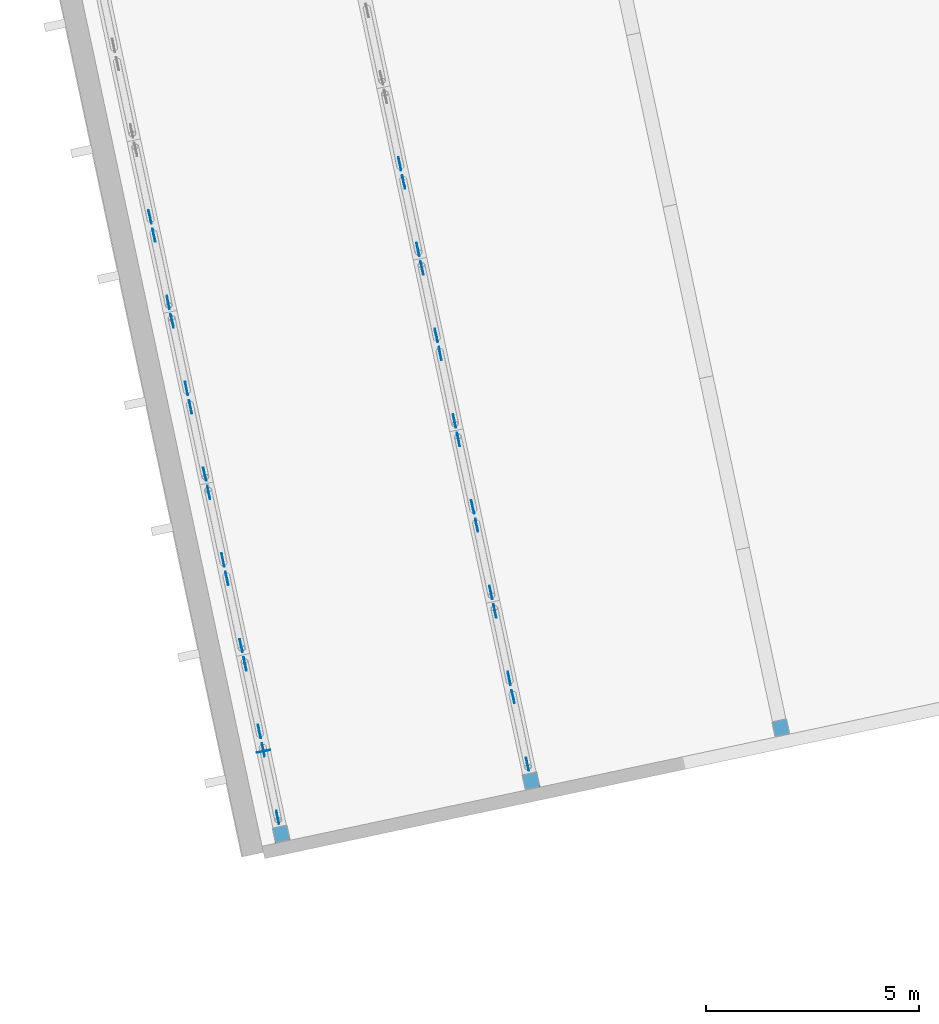
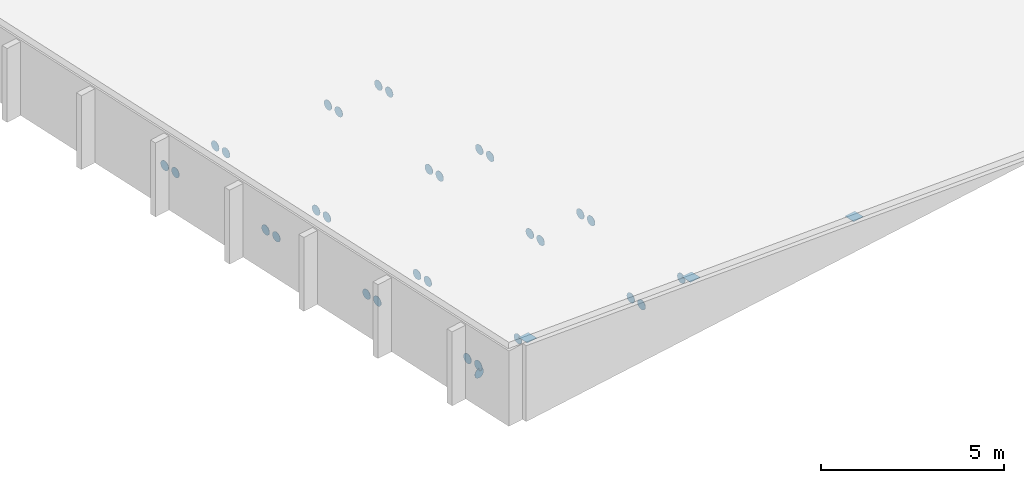
# One storey, part 40 of 50: 34 discrete accessories.
"""IFC4 building model written with IfcOpenShell, lengths in metres."""

from ifc_helpers import new_model, si_unit, direction, frame, origin, origin_2d, place, context, subcontext, project, spatial, rectangle, circle, extrude, material, layer, layer_set, type_object, element, save


model = new_model("IFC4")

# Units and contexts
model_context = context("Model", 3, precision=1e-05, world=origin(), true_north=direction((0.0, 1.0)))
body_context = subcontext(model_context, "Body", "Model", "MODEL_VIEW")
ifc_project = project(units=[si_unit("LENGTHUNIT", "METRE"), si_unit("AREAUNIT", "SQUARE_METRE"), si_unit("VOLUMEUNIT", "CUBIC_METRE"), si_unit("PLANEANGLEUNIT", "RADIAN"), si_unit("MASSUNIT", "GRAM", prefix="KILO")], contexts=[model_context])

# Site, building, storey
site_placement = place(None, origin())
site = spatial("IfcSite", under=ifc_project, at=site_placement, CompositionType="ELEMENT")
building_placement = place(site_placement, origin())
building = spatial("IfcBuilding", under=site, at=building_placement, Name="Windward Yard Aquatics Centre", CompositionType="ELEMENT")
storey_placement = place(building_placement, frame((0.0, 0.0, 18.199951171875)))
storey = spatial("IfcBuildingStorey", under=building, at=storey_placement, Name="L04", CompositionType="ELEMENT", Elevation=18.199951171875)

# Discrete accessories
ifc_material = material(Name="Steel S355", Category="steel")
ifc_layer_1 = layer(ifc_material, 0.010009765625)
ifc_layer_set_1 = layer_set([ifc_layer_1], Name="End cap plate 10 mm CHS323.9x12.7")
discrete_accessory_type_1 = type_object("IfcDiscreteAccessoryType", Name="End cap plate 10 mm CHS323.9x12.7", PredefinedType="USERDEFINED", material=ifc_layer_set_1)
discrete_accessory_1_placement = place(storey_placement, frame((163.44580078125, 43.896728515625, 0.104736328125), z_axis=(-0.196116135138, 0.980580675691, 0.0), x_axis=(-0.980580675691, -0.196116135138, 0.0)))
element("IfcDiscreteAccessory", 1, at=discrete_accessory_1_placement, inside=storey, type_object=discrete_accessory_type_1, Name="End cap", ObjectType="END CAP", PredefinedType="USERDEFINED", context=body_context, shape_type="SweptSolid", body=[
    extrude(circle(Radius=0.161865234375, at=origin_2d()), origin(), (0.0, 0.0, 1.0), 0.010009765625),
])
ifc_layer_2 = layer(ifc_material, 0.010009765625)
ifc_layer_set_2 = layer_set([ifc_layer_2], Name="End cap plate 10 mm RHS355.6x355.6x15.9")
discrete_accessory_type_2 = type_object("IfcDiscreteAccessoryType", Name="End cap plate 10 mm RHS355.6x355.6x15.9", PredefinedType="USERDEFINED", material=ifc_layer_set_2)
for number, where, z_axis, x_axis, name in (
    (2, (169.72607421875, 43.208984375, 1.515380859375), (0.0, 0.0, 1.0), (0.978147600734, 0.207911690818, 0.0), "End cap"),
    (3, (163.857177734375, 41.961669921875, 2.3046875), (0.0, 0.0, 1.0), (0.978147600734, 0.207911690818, 0.0), "End cap"),
    (4, (175.594970703125, 44.45654296875, 0.725830078125), (0.0, 0.0, 1.0), (0.978147600734, 0.207911690818, 0.0), "End cap"),
):
    element("IfcDiscreteAccessory", number, at=place(storey_placement, frame(where, z_axis=z_axis, x_axis=x_axis)), inside=storey, type_object=discrete_accessory_type_2, Name=name, ObjectType="END CAP", PredefinedType="USERDEFINED", context=body_context, shape_type="SweptSolid", body=[
        extrude(rectangle(XDim=0.355712890625, YDim=0.355712890625, at=origin_2d()), origin(), (0.0, 0.0, 1.0), 0.010009765625),
    ])
ifc_layer_3 = layer(ifc_material, 0.011962890625)
ifc_layer_set_3 = layer_set([ifc_layer_3], Name="Gusset plate 320 mm disc 12 mm, roof frames")
discrete_accessory_type_3 = type_object("IfcDiscreteAccessoryType", Name="Gusset plate 320 mm disc 12 mm, roof frames", PredefinedType="USERDEFINED", material=ifc_layer_set_3)
for number, where, z_axis, x_axis, name in (
    (5, (163.7685546875, 42.349853515625, 2.06982421875), (0.978980419738, 0.203954254112, 0.0), (-0.203954254112, 0.978980419738, 0.0), "Gusset plate"),
    (6, (163.431640625, 43.9345703125, 0.33984375), (0.978980419738, 0.203954254112, 0.0), (-0.203954254112, 0.978980419738, 0.0), "Gusset plate"),
    (7, (163.00341796875, 45.94970703125, 2.06982421875), (0.978980419738, 0.203954254112, 0.0), (-0.203954254112, 0.978980419738, 0.0), "Gusset plate"),
    (8, (163.34033203125, 44.364990234375, 0.33984375), (0.978980419738, 0.203954254112, 0.0), (-0.203954254112, 0.978980419738, 0.0), "Gusset plate"),
    (9, (162.911865234375, 46.380126953125, 2.06982421875), (0.974732318528, 0.223376156329, 0.0), (-0.223376156329, 0.974732318528, 0.0), "Gusset plate"),
    (10, (162.574951171875, 47.965087890625, 0.33984375), (0.978980419738, 0.203954254112, 0.0), (-0.203954254112, 0.978980419738, 0.0), "Gusset plate"),
    (11, (162.146728515625, 49.980224609375, 2.06982421875), (0.978980419738, 0.203954254112, 0.0), (-0.203954254112, 0.978980419738, 0.0), "Gusset plate"),
):
    element("IfcDiscreteAccessory", number, at=place(storey_placement, frame(where, z_axis=z_axis, x_axis=x_axis)), inside=storey, type_object=discrete_accessory_type_3, Name=name, ObjectType="GUSSET PLATE", PredefinedType="USERDEFINED", context=body_context, shape_type="SweptSolid", body=[
        extrude(circle(Radius=0.159912109375, at=origin_2d()), origin(), (0.0, 0.0, 1.0), 0.011962890625),
    ])
discrete_accessory_2_placement = place(storey_placement, frame((162.4833984375, 48.3955078125, 0.33984375), z_axis=(0.97980405878, 0.199960011996, 0.0), x_axis=(-0.199960011996, 0.97980405878, 0.0)))
element("IfcDiscreteAccessory", 12, at=discrete_accessory_2_placement, inside=storey, type_object=discrete_accessory_type_3, Name="Gusset plate", ObjectType="GUSSET PLATE", PredefinedType="USERDEFINED", context=body_context, shape_type="SweptSolid", body=[
    extrude(circle(Radius=0.159912109375, at=origin_2d()), origin(), (0.0, 0.0, 1.0), 0.01220703125),
])
for number, where, z_axis, x_axis, name in (
    (13, (162.05517578125, 50.41064453125, 2.06982421875), (0.974732318528, 0.223376156329, 0.0), (-0.223376156329, 0.974732318528, 0.0), "Gusset plate"),
    (14, (161.71826171875, 51.995361328125, 0.33984375), (0.978980419738, 0.203954254112, 0.0), (-0.203954254112, 0.978980419738, 0.0), "Gusset plate"),
    (15, (161.2900390625, 54.010498046875, 2.06982421875), (0.974732318528, 0.223376156329, 0.0), (-0.223376156329, 0.974732318528, 0.0), "Gusset plate"),
):
    element("IfcDiscreteAccessory", number, at=place(storey_placement, frame(where, z_axis=z_axis, x_axis=x_axis)), inside=storey, type_object=discrete_accessory_type_3, Name=name, ObjectType="GUSSET PLATE", PredefinedType="USERDEFINED", context=body_context, shape_type="SweptSolid", body=[
        extrude(circle(Radius=0.159912109375, at=origin_2d()), origin(), (0.0, 0.0, 1.0), 0.011962890625),
    ])
discrete_accessory_3_placement = place(storey_placement, frame((161.626708984375, 52.426025390625, 0.33984375), z_axis=(0.97980405878, 0.199960011996, 0.0), x_axis=(-0.199960011996, 0.97980405878, 0.0)))
element("IfcDiscreteAccessory", 16, at=discrete_accessory_3_placement, inside=storey, type_object=discrete_accessory_type_3, Name="Gusset plate", ObjectType="GUSSET PLATE", PredefinedType="USERDEFINED", context=body_context, shape_type="SweptSolid", body=[
    extrude(circle(Radius=0.159912109375, at=origin_2d()), origin(), (0.0, 0.0, 1.0), 0.01220703125),
])
for number, where, z_axis, x_axis, name in (
    (17, (161.198486328125, 54.441162109375, 2.06982421875), (0.978980419738, 0.203954254112, 0.0), (-0.203954254112, 0.978980419738, 0.0), "Gusset plate"),
    (18, (160.861572265625, 56.02587890625, 0.33984375), (0.978980419738, 0.203954254112, 0.0), (-0.203954254112, 0.978980419738, 0.0), "Gusset plate"),
    (19, (160.77001953125, 56.456298828125, 0.33984375), (0.974732318528, 0.223376156329, 0.0), (-0.223376156329, 0.974732318528, 0.0), "Gusset plate"),
    (20, (169.637451171875, 43.59716796875, 1.2802734375), (0.978980419738, 0.203954254112, 0.0), (-0.203954254112, 0.978980419738, 0.0), "Gusset plate"),
    (21, (169.300537109375, 45.181884765625, -0.44970703125), (0.974732318528, 0.223376156329, 0.0), (-0.223376156329, 0.974732318528, 0.0), "Gusset plate"),
    (22, (168.872314453125, 47.197265625, 1.2802734375), (0.978980419738, 0.203954254112, 0.0), (-0.203954254112, 0.978980419738, 0.0), "Gusset plate"),
    (23, (169.208984375, 45.612548828125, -0.44970703125), (0.978980419738, 0.203954254112, 0.0), (-0.203954254112, 0.978980419738, 0.0), "Gusset plate"),
    (24, (168.78076171875, 47.627685546875, 1.2802734375), (0.978980419738, 0.203954254112, 0.0), (-0.203954254112, 0.978980419738, 0.0), "Gusset plate"),
    (25, (168.44384765625, 49.21240234375, -0.44970703125), (0.978980419738, 0.203954254112, 0.0), (-0.203954254112, 0.978980419738, 0.0), "Gusset plate"),
    (26, (168.015625, 51.227783203125, 1.2802734375), (0.978980419738, 0.203954254112, 0.0), (-0.203954254112, 0.978980419738, 0.0), "Gusset plate"),
    (27, (168.352294921875, 49.642822265625, -0.44970703125), (0.974732318528, 0.223376156329, 0.0), (-0.223376156329, 0.974732318528, 0.0), "Gusset plate"),
    (28, (167.924072265625, 51.658203125, 1.2802734375), (0.978980419738, 0.203954254112, 0.0), (-0.203954254112, 0.978980419738, 0.0), "Gusset plate"),
    (29, (167.587158203125, 53.242919921875, -0.44970703125), (0.978980419738, 0.203954254112, 0.0), (-0.203954254112, 0.978980419738, 0.0), "Gusset plate"),
    (30, (167.158935546875, 55.258056640625, 1.2802734375), (0.978980419738, 0.203954254112, 0.0), (-0.203954254112, 0.978980419738, 0.0), "Gusset plate"),
    (31, (167.49560546875, 53.67333984375, -0.44970703125), (0.974732318528, 0.223376156329, 0.0), (-0.223376156329, 0.974732318528, 0.0), "Gusset plate"),
    (32, (167.0673828125, 55.688720703125, 1.2802734375), (0.978980419738, 0.203954254112, 0.0), (-0.203954254112, 0.978980419738, 0.0), "Gusset plate"),
    (33, (166.73046875, 57.273193359375, -0.44970703125), (0.974732318528, 0.223376156329, 0.0), (-0.223376156329, 0.974732318528, 0.0), "Gusset plate"),
    (34, (166.638916015625, 57.703857421875, -0.44970703125), (0.978980419738, 0.203954254112, 0.0), (-0.203954254112, 0.978980419738, 0.0), "Gusset plate"),
):
    element("IfcDiscreteAccessory", number, at=place(storey_placement, frame(where, z_axis=z_axis, x_axis=x_axis)), inside=storey, type_object=discrete_accessory_type_3, Name=name, ObjectType="GUSSET PLATE", PredefinedType="USERDEFINED", context=body_context, shape_type="SweptSolid", body=[
        extrude(circle(Radius=0.159912109375, at=origin_2d()), origin(), (0.0, 0.0, 1.0), 0.011962890625),
    ])

save(model, "model.ifc")
